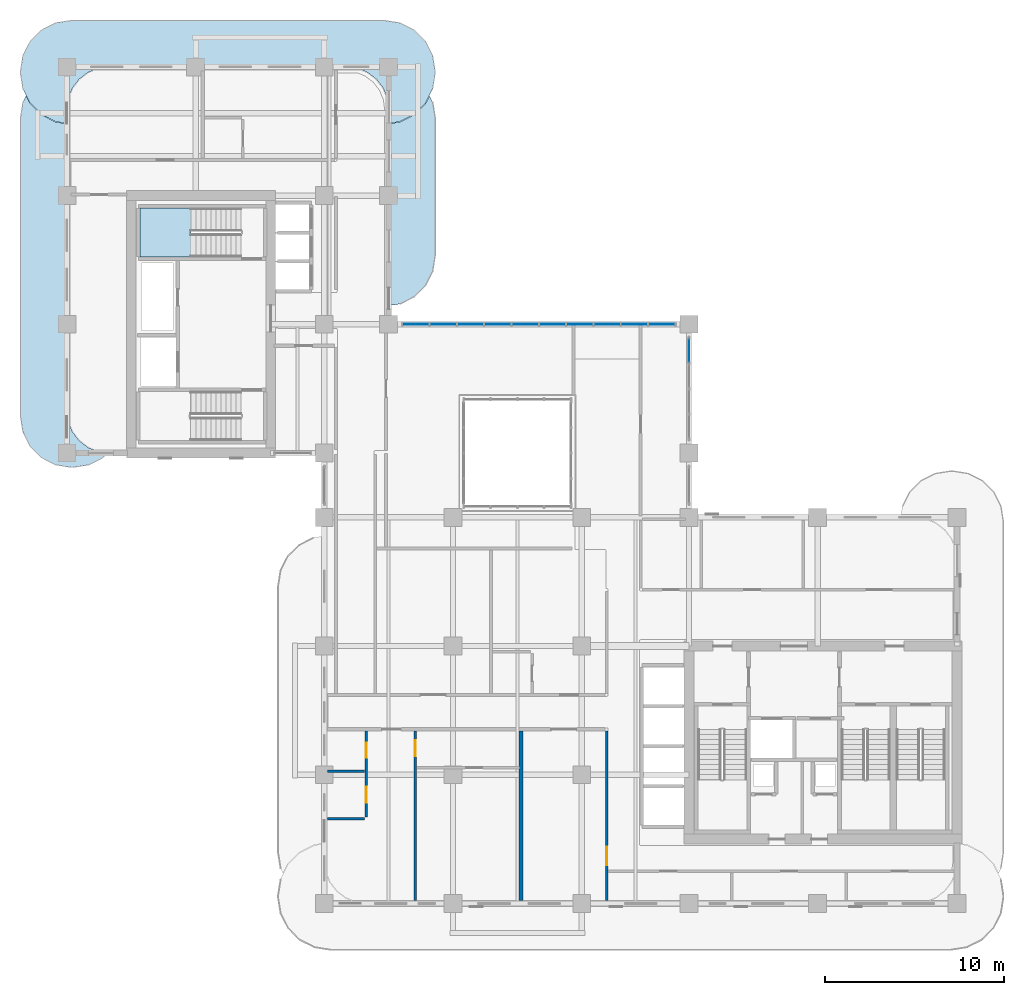
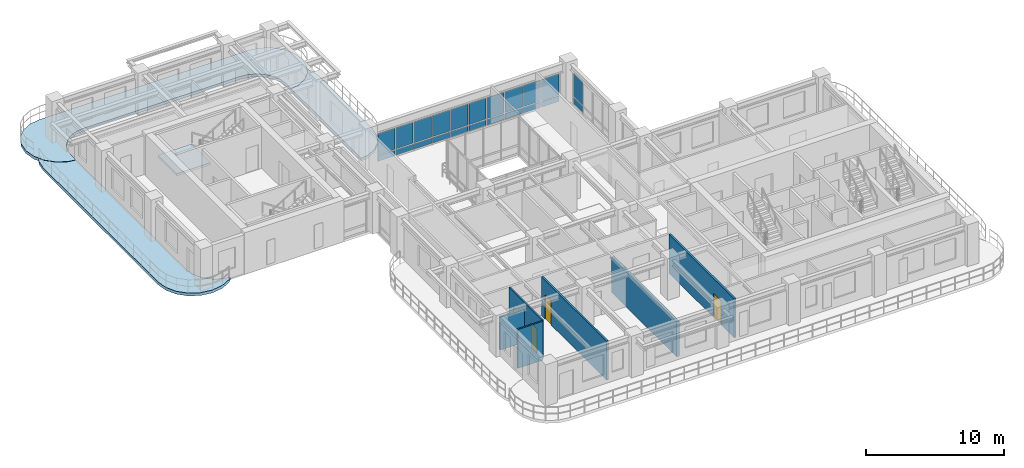
# One storey, part 10 of 20: 22 plates, 6 walls, 4 doors, 4 slabs, 4 openings, 3 elements without a shape of their own.
"""IFC4 building model written with IfcOpenShell, lengths in metres."""

from ifc_helpers import new_model, si_unit, derived_unit, direction, frame, frame_2d, origin, origin_2d, place, context, subcontext, project, spatial, polyline, rectangle, outline, extrude, source, transform, mapped, material, layer, layer_set, type_object, type_shapes, element, fill, aggregate, save


model = new_model("IFC4")

# Units and contexts
model_context = context("Model", 3, precision=1e-05, world=origin(), true_north=direction((0.0, 1.0)))
body_context = subcontext(model_context, "Body", "Model", "MODEL_VIEW")
ifc_project = project(units=[si_unit("LENGTHUNIT", "METRE"), si_unit("AREAUNIT", "SQUARE_METRE"), si_unit("VOLUMEUNIT", "CUBIC_METRE"), si_unit("PLANEANGLEUNIT", "RADIAN"), si_unit("MASSUNIT", "GRAM", prefix="KILO"), si_unit("THERMODYNAMICTEMPERATUREUNIT", "KELVIN"), si_unit("POWERUNIT", "WATT"), derived_unit("THERMALTRANSMITTANCEUNIT", [(si_unit("POWERUNIT", "WATT"), 1), (si_unit("AREAUNIT", "SQUARE_METRE"), -1), (si_unit("THERMODYNAMICTEMPERATUREUNIT", "KELVIN"), -1)])], contexts=[model_context])

# Site, building, storey
site_placement = place(None, origin())
site = spatial("IfcSite", under=ifc_project, at=site_placement, CompositionType="ELEMENT")
building_placement = place(site_placement, origin())
building = spatial("IfcBuilding", under=site, at=building_placement, Name="Zahravan Archway Hotel and Residences", CompositionType="ELEMENT")
storey_placement = place(building_placement, frame((0.0, 0.0, 115.5)))
storey = spatial("IfcBuildingStorey", under=building, at=storey_placement, Name="L28", CompositionType="ELEMENT", Elevation=115.5)

# Slabs
ifc_material_1 = material(Name="Concrete C45/55", Category="concrete")
ifc_layer_1 = layer(ifc_material_1, 0.25, Name="Concrete C45/55", Category="concrete")
ifc_layer_set_1 = layer_set([ifc_layer_1], Name="Concrete C45/55")
slab_type_1 = type_object("IfcSlabType", Name="SLB-BALC-250", PredefinedType="FLOOR", material=ifc_layer_set_1)
slab_1_placement = place(storey_placement, frame((0.0, 0.0, -0.25)))
element("IfcSlab", 1, at=slab_1_placement, inside=storey, type_object=slab_type_1, Name="L28 Wing B North Rounded Balcony Band", PredefinedType="FLOOR", context=body_context, shape_type="SweptSolid", body=[
    extrude(outline(polyline([(-0.630615234375, 43.739501953125), (-1.42529296875, 44.144287109375), (-2.0556640625, 44.77490234375), (-2.46044921875, 45.5693359375), (-2.60009765625, 46.449951171875), (-2.60009765625, 46.550048828125), (-2.46044921875, 47.4306640625), (-2.0556640625, 48.22509765625), (-1.42529296875, 48.855712890625), (-0.630615234375, 49.260498046875), (0.25, 49.39990234375), (17.75, 49.39990234375), (18.630615234375, 49.260498046875), (19.42529296875, 48.855712890625), (20.0556640625, 48.22509765625), (20.46044921875, 47.4306640625), (20.60009765625, 46.550048828125), (20.60009765625, 46.449951171875), (20.46044921875, 45.5693359375), (20.0556640625, 44.77490234375), (19.42529296875, 44.144287109375), (18.630615234375, 43.739501953125), (18.02001953125, 43.642822265625), (18.02001953125, 44.39990234375), (18.019775390625, 44.402587890625), (17.93798828125, 45.023681640625), (17.937744140625, 45.025390625), (17.937255859375, 45.027099609375), (17.936767578125, 45.02880859375), (17.697021484375, 45.607666015625), (17.6962890625, 45.609130859375), (17.6953125, 45.610595703125), (17.6943359375, 45.6123046875), (17.31298828125, 46.109375), (17.311767578125, 46.110595703125), (17.310546875, 46.11181640625), (17.309326171875, 46.113037109375), (16.812255859375, 46.494384765625), (16.810791015625, 46.495361328125), (16.80908203125, 46.49609375), (16.8076171875, 46.4970703125), (16.22900390625, 46.73681640625), (16.227294921875, 46.7373046875), (16.2255859375, 46.73779296875), (16.223876953125, 46.738037109375), (15.6025390625, 46.81982421875), (15.60009765625, 46.820068359375), (2.39990234375, 46.820068359375), (2.3974609375, 46.81982421875), (1.776123046875, 46.738037109375), (1.7744140625, 46.73779296875), (1.772705078125, 46.7373046875), (1.77099609375, 46.73681640625), (1.1923828125, 46.4970703125), (1.19091796875, 46.49609375), (1.189208984375, 46.495361328125), (1.187744140625, 46.494384765625), (0.690673828125, 46.113037109375), (0.689453125, 46.11181640625), (0.688232421875, 46.110595703125), (0.68701171875, 46.109375), (0.3056640625, 45.6123046875), (0.3046875, 45.610595703125), (0.3037109375, 45.609130859375), (0.302978515625, 45.607666015625), (0.063232421875, 45.02880859375), (0.062744140625, 45.027099609375), (0.062255859375, 45.025390625), (0.06201171875, 45.023681640625), (-0.019775390625, 44.402587890625), (-0.02001953125, 44.39990234375), (-0.02001953125, 43.642822265625), (-0.630615234375, 43.739501953125)])), origin(), (0.0, 0.0, 1.0), 0.25),
])
slab_2_placement = place(storey_placement, frame((0.0, 0.0, -0.25)))
element("IfcSlab", 2, at=slab_2_placement, inside=storey, type_object=slab_type_1, Name="L28 Wing B West Rounded Balcony Band", PredefinedType="FLOOR", context=body_context, shape_type="SweptSolid", body=[
    extrude(outline(polyline([(2.025146484375, 24.9443359375), (1.230712890625, 24.53955078125), (0.35009765625, 24.39990234375), (0.25, 24.39990234375), (-0.630615234375, 24.53955078125), (-1.42529296875, 24.9443359375), (-2.0556640625, 25.57470703125), (-2.46044921875, 26.369384765625), (-2.60009765625, 27.25), (-2.60009765625, 43.949951171875), (-2.46044921875, 44.830810546875), (-2.28369140625, 45.177978515625), (-2.073486328125, 44.765625), (-2.072509765625, 44.763916015625), (-2.0712890625, 44.76220703125), (-2.06982421875, 44.7607421875), (-1.439208984375, 44.130126953125), (-1.437744140625, 44.12890625), (-1.43603515625, 44.12744140625), (-1.434326171875, 44.12646484375), (-0.639892578125, 43.7216796875), (-0.637939453125, 43.720703125), (-0.635986328125, 43.72021484375), (-0.6337890625, 43.7197265625), (-0.023193359375, 43.623046875), (-0.021240234375, 43.622802734375), (-0.02001953125, 43.622802734375), (-0.02001953125, 27.60009765625), (-0.019775390625, 27.597412109375), (0.06201171875, 26.976318359375), (0.062255859375, 26.974609375), (0.062744140625, 26.972900390625), (0.063232421875, 26.97119140625), (0.302978515625, 26.392333984375), (0.3037109375, 26.390869140625), (0.3046875, 26.389404296875), (0.3056640625, 26.3876953125), (0.68701171875, 25.890625), (0.688232421875, 25.889404296875), (0.689453125, 25.88818359375), (0.690673828125, 25.886962890625), (1.187744140625, 25.505615234375), (1.189208984375, 25.504638671875), (1.19091796875, 25.50390625), (1.1923828125, 25.5029296875), (1.77099609375, 25.26318359375), (1.772705078125, 25.2626953125), (1.7744140625, 25.26220703125), (1.776123046875, 25.261962890625), (2.27685546875, 25.196044921875), (2.025146484375, 24.9443359375)])), origin(), (0.0, 0.0, 1.0), 0.25),
])
slab_3_placement = place(storey_placement, frame((0.0, 0.0, -0.25)))
element("IfcSlab", 3, at=slab_3_placement, inside=storey, type_object=slab_type_1, Name="L28 Wing B East Rounded Balcony Band", PredefinedType="FLOOR", context=body_context, shape_type="SweptSolid", body=[
    extrude(outline(polyline([(20.46044921875, 44.830810546875), (20.60009765625, 43.949951171875), (20.60009765625, 36.25), (20.46044921875, 35.369384765625), (20.0556640625, 34.57470703125), (19.42529296875, 33.9443359375), (18.630615234375, 33.53955078125), (18.02001953125, 33.44287109375), (18.02001953125, 43.622802734375), (18.021240234375, 43.622802734375), (18.023193359375, 43.623046875), (18.6337890625, 43.7197265625), (18.635986328125, 43.72021484375), (18.637939453125, 43.720703125), (18.639892578125, 43.7216796875), (19.434326171875, 44.12646484375), (19.43603515625, 44.12744140625), (19.437744140625, 44.12890625), (19.439208984375, 44.130126953125), (20.06982421875, 44.7607421875), (20.0712890625, 44.76220703125), (20.072509765625, 44.763916015625), (20.073486328125, 44.765625), (20.28369140625, 45.177978515625), (20.46044921875, 44.830810546875)])), origin(), (0.0, 0.0, 1.0), 0.25),
])

# Stair, slab
ifc_material_2 = material(Name="Concrete C50/60", Category="concrete")
stair_type = type_object("IfcStairType", Name="STR-CORE-1300", PredefinedType="HALF_TURN_STAIR", material=ifc_material_2)
stair_placement = place(storey_placement, origin())
stair = element("IfcStair", 4, at=stair_placement, inside=storey, type_object=stair_type, Name="L28 Core B Exit Stair 2", PredefinedType="HALF_TURN_STAIR")
ifc_layer_2 = layer(ifc_material_2, 0.199951171875, Name="Concrete C50/60", Category="concrete")
ifc_layer_set_2 = layer_set([ifc_layer_2], Name="Concrete C50/60")
slab_type_2 = type_object("IfcSlabType", Name="SLB-LND-200", PredefinedType="LANDING", material=ifc_layer_set_2)
slab_4_placement = place(storey_placement, frame((0.0, 0.0, 1.64990234375)))
slab_4 = element("IfcSlab", 5, at=slab_4_placement, type_object=slab_type_2, Name="ST-B2 landing 1", PredefinedType="LANDING", context=body_context, shape_type="SweptSolid", body=[
    extrude(outline(polyline([(6.929931640625, 38.89990234375), (4.10009765625, 38.89990234375), (4.10009765625, 36.159912109375), (6.929931640625, 36.159912109375), (6.929931640625, 38.89990234375)])), origin(), (0.0, 0.0, 1.0), 0.2001953125),
])
aggregate(stair, [slab_4])

# Curtain wall, plates
ifc_material_3 = material(Name="Bronze-Anodized Unitised Aluminium & Low-E Glass", Category="aluminium")
ifc_layer_3 = layer(ifc_material_3, 0.179931640625, Name="Bronze-Anodized Unitised Aluminium & Low-E Glass", Category="aluminium")
ifc_layer_set_3 = layer_set([ifc_layer_3], Name="Bronze-Anodized Unitised Aluminium & Low-E Glass")
curtain_wall_type = type_object("IfcCurtainWallType", Name="CW-ATR-GLAZ", PredefinedType="NOTDEFINED", material=ifc_layer_set_3)
curtain_wall_1_placement = place(storey_placement, origin())
curtain_wall_1 = element("IfcCurtainWall", 6, at=curtain_wall_1_placement, inside=storey, type_object=curtain_wall_type, Name="L28 Curtain Wall CW-L28-HNG-N-1", PredefinedType="NOTDEFINED")
ifc_material_4 = material(Name="Insulated Terracotta Spandrel Panel", Category="masonry")
ifc_layer_4 = layer(ifc_material_4, 0.0400390625, Name="Insulated Terracotta Spandrel Panel", Category="masonry")
ifc_layer_set_4 = layer_set([ifc_layer_4], Name="Insulated Terracotta Spandrel Panel")
plate_type_1 = type_object("IfcPlateType", Name="CWP-SPN-40", PredefinedType="SHEET", material=ifc_layer_set_4)
shared_shape_1 = source(origin(), body_context, "Body", "SweptSolid", [
    extrude(rectangle(XDim=1.447998046875, YDim=0.0400390625, at=origin_2d()), origin(), (0.0, 0.0, 1.0), 0.492431640625),
])
plate_1_placement = place(storey_placement, frame((19.52392578125, 32.39990234375, 0.10009765625), z_axis=(0.0, 0.0, 1.0), x_axis=(1.0, 0.0, 0.0)))
plate_1 = element("IfcPlate", 7, at=plate_1_placement, type_object=plate_type_1, Name="CW-L28-HNG-N-1 Spandrel Panel 0", PredefinedType="SHEET", context=body_context, shape_type="MappedRepresentation", body=[
    mapped(shared_shape_1, transform((0.0, 0.0, 0.0), scale=1.0)),
])
plate_2_placement = place(storey_placement, frame((21.052001953125, 32.39990234375, 0.10009765625), z_axis=(0.0, 0.0, 1.0), x_axis=(1.0, 0.0, 0.0)))
plate_2 = element("IfcPlate", 8, at=plate_2_placement, type_object=plate_type_1, Name="CW-L28-HNG-N-1 Spandrel Panel 1", PredefinedType="SHEET", context=body_context, shape_type="MappedRepresentation", body=[
    mapped(shared_shape_1, transform((0.0, 0.0, 0.0), scale=1.0)),
])
plate_3_placement = place(storey_placement, frame((22.580078125, 32.39990234375, 0.10009765625), z_axis=(0.0, 0.0, 1.0), x_axis=(1.0, 0.0, 0.0)))
plate_3 = element("IfcPlate", 9, at=plate_3_placement, type_object=plate_type_1, Name="CW-L28-HNG-N-1 Spandrel Panel 2", PredefinedType="SHEET", context=body_context, shape_type="MappedRepresentation", body=[
    mapped(shared_shape_1, transform((0.0, 0.0, 0.0), scale=1.0)),
])
plate_4_placement = place(storey_placement, frame((24.10791015625, 32.39990234375, 0.10009765625), z_axis=(0.0, 0.0, 1.0), x_axis=(1.0, 0.0, 0.0)))
plate_4 = element("IfcPlate", 10, at=plate_4_placement, type_object=plate_type_1, Name="CW-L28-HNG-N-1 Spandrel Panel 3", PredefinedType="SHEET", context=body_context, shape_type="MappedRepresentation", body=[
    mapped(shared_shape_1, transform((0.0, 0.0, 0.0), scale=1.0)),
])
plate_5_placement = place(storey_placement, frame((25.635986328125, 32.39990234375, 0.10009765625), z_axis=(0.0, 0.0, 1.0), x_axis=(1.0, 0.0, 0.0)))
plate_5 = element("IfcPlate", 11, at=plate_5_placement, type_object=plate_type_1, Name="CW-L28-HNG-N-1 Spandrel Panel 4", PredefinedType="SHEET", context=body_context, shape_type="MappedRepresentation", body=[
    mapped(shared_shape_1, transform((0.0, 0.0, 0.0), scale=1.0)),
])
plate_6_placement = place(storey_placement, frame((27.1640625, 32.39990234375, 0.10009765625), z_axis=(0.0, 0.0, 1.0), x_axis=(1.0, 0.0, 0.0)))
plate_6 = element("IfcPlate", 12, at=plate_6_placement, type_object=plate_type_1, Name="CW-L28-HNG-N-1 Spandrel Panel 5", PredefinedType="SHEET", context=body_context, shape_type="MappedRepresentation", body=[
    mapped(shared_shape_1, transform((0.0, 0.0, 0.0), scale=1.0)),
])
plate_7_placement = place(storey_placement, frame((28.69189453125, 32.39990234375, 0.10009765625), z_axis=(0.0, 0.0, 1.0), x_axis=(1.0, 0.0, 0.0)))
plate_7 = element("IfcPlate", 13, at=plate_7_placement, type_object=plate_type_1, Name="CW-L28-HNG-N-1 Spandrel Panel 6", PredefinedType="SHEET", context=body_context, shape_type="MappedRepresentation", body=[
    mapped(shared_shape_1, transform((0.0, 0.0, 0.0), scale=1.0)),
])
plate_8_placement = place(storey_placement, frame((30.219970703125, 32.39990234375, 0.10009765625), z_axis=(0.0, 0.0, 1.0), x_axis=(1.0, 0.0, 0.0)))
plate_8 = element("IfcPlate", 14, at=plate_8_placement, type_object=plate_type_1, Name="CW-L28-HNG-N-1 Spandrel Panel 7", PredefinedType="SHEET", context=body_context, shape_type="MappedRepresentation", body=[
    mapped(shared_shape_1, transform((0.0, 0.0, 0.0), scale=1.0)),
])
plate_9_placement = place(storey_placement, frame((31.748046875, 32.39990234375, 0.10009765625), z_axis=(0.0, 0.0, 1.0), x_axis=(1.0, 0.0, 0.0)))
plate_9 = element("IfcPlate", 15, at=plate_9_placement, type_object=plate_type_1, Name="CW-L28-HNG-N-1 Spandrel Panel 8", PredefinedType="SHEET", context=body_context, shape_type="MappedRepresentation", body=[
    mapped(shared_shape_1, transform((0.0, 0.0, 0.0), scale=1.0)),
])
plate_10_placement = place(storey_placement, frame((33.27587890625, 32.39990234375, 0.10009765625), z_axis=(0.0, 0.0, 1.0), x_axis=(1.0, 0.0, 0.0)))
plate_10 = element("IfcPlate", 16, at=plate_10_placement, type_object=plate_type_1, Name="CW-L28-HNG-N-1 Spandrel Panel 9", PredefinedType="SHEET", context=body_context, shape_type="MappedRepresentation", body=[
    mapped(shared_shape_1, transform((0.0, 0.0, 0.0), scale=1.0)),
])
ifc_material_5 = material(Name="Double-Silver Low-E Insulated Vision Glass", Category="glass")
ifc_layer_5 = layer(ifc_material_5, 0.028076171875, Name="Double-Silver Low-E Insulated Vision Glass", Category="glass")
ifc_layer_set_5 = layer_set([ifc_layer_5], Name="Double-Silver Low-E Insulated Vision Glass")
plate_type_2 = type_object("IfcPlateType", Name="CWP-GLZ-28", PredefinedType="CURTAIN_PANEL", material=ifc_layer_set_5)
shared_shape_2 = source(origin(), body_context, "Body", "SweptSolid", [
    extrude(rectangle(XDim=1.447998046875, YDim=0.028076171875, at=origin_2d()), origin(), (0.0, 0.0, 1.0), 1.862548828125),
])
plate_11_placement = place(storey_placement, frame((19.52392578125, 32.39990234375, 0.67236328125), z_axis=(0.0, 0.0, 1.0), x_axis=(1.0, 0.0, 0.0)))
plate_11 = element("IfcPlate", 17, at=plate_11_placement, type_object=plate_type_2, Name="CW-L28-HNG-N-1 Low-E Vision Panel 0", PredefinedType="CURTAIN_PANEL", context=body_context, shape_type="MappedRepresentation", body=[
    mapped(shared_shape_2, transform((0.0, 0.0, 0.0), scale=1.0)),
])
plate_12_placement = place(storey_placement, frame((21.052001953125, 32.39990234375, 0.67236328125), z_axis=(0.0, 0.0, 1.0), x_axis=(1.0, 0.0, 0.0)))
plate_12 = element("IfcPlate", 18, at=plate_12_placement, type_object=plate_type_2, Name="CW-L28-HNG-N-1 Low-E Vision Panel 1", PredefinedType="CURTAIN_PANEL", context=body_context, shape_type="MappedRepresentation", body=[
    mapped(shared_shape_2, transform((0.0, 0.0, 0.0), scale=1.0)),
])
plate_13_placement = place(storey_placement, frame((22.580078125, 32.39990234375, 0.67236328125), z_axis=(0.0, 0.0, 1.0), x_axis=(1.0, 0.0, 0.0)))
plate_13 = element("IfcPlate", 19, at=plate_13_placement, type_object=plate_type_2, Name="CW-L28-HNG-N-1 Low-E Vision Panel 2", PredefinedType="CURTAIN_PANEL", context=body_context, shape_type="MappedRepresentation", body=[
    mapped(shared_shape_2, transform((0.0, 0.0, 0.0), scale=1.0)),
])
plate_14_placement = place(storey_placement, frame((24.10791015625, 32.39990234375, 0.67236328125), z_axis=(0.0, 0.0, 1.0), x_axis=(1.0, 0.0, 0.0)))
plate_14 = element("IfcPlate", 20, at=plate_14_placement, type_object=plate_type_2, Name="CW-L28-HNG-N-1 Low-E Vision Panel 3", PredefinedType="CURTAIN_PANEL", context=body_context, shape_type="MappedRepresentation", body=[
    mapped(shared_shape_2, transform((0.0, 0.0, 0.0), scale=1.0)),
])
plate_15_placement = place(storey_placement, frame((25.635986328125, 32.39990234375, 0.67236328125), z_axis=(0.0, 0.0, 1.0), x_axis=(1.0, 0.0, 0.0)))
plate_15 = element("IfcPlate", 21, at=plate_15_placement, type_object=plate_type_2, Name="CW-L28-HNG-N-1 Low-E Vision Panel 4", PredefinedType="CURTAIN_PANEL", context=body_context, shape_type="MappedRepresentation", body=[
    mapped(shared_shape_2, transform((0.0, 0.0, 0.0), scale=1.0)),
])
plate_16_placement = place(storey_placement, frame((27.1640625, 32.39990234375, 0.67236328125), z_axis=(0.0, 0.0, 1.0), x_axis=(1.0, 0.0, 0.0)))
plate_16 = element("IfcPlate", 22, at=plate_16_placement, type_object=plate_type_2, Name="CW-L28-HNG-N-1 Low-E Vision Panel 5", PredefinedType="CURTAIN_PANEL", context=body_context, shape_type="MappedRepresentation", body=[
    mapped(shared_shape_2, transform((0.0, 0.0, 0.0), scale=1.0)),
])
plate_17_placement = place(storey_placement, frame((28.69189453125, 32.39990234375, 0.67236328125), z_axis=(0.0, 0.0, 1.0), x_axis=(1.0, 0.0, 0.0)))
plate_17 = element("IfcPlate", 23, at=plate_17_placement, type_object=plate_type_2, Name="CW-L28-HNG-N-1 Low-E Vision Panel 6", PredefinedType="CURTAIN_PANEL", context=body_context, shape_type="MappedRepresentation", body=[
    mapped(shared_shape_2, transform((0.0, 0.0, 0.0), scale=1.0)),
])
plate_18_placement = place(storey_placement, frame((30.219970703125, 32.39990234375, 0.67236328125), z_axis=(0.0, 0.0, 1.0), x_axis=(1.0, 0.0, 0.0)))
plate_18 = element("IfcPlate", 24, at=plate_18_placement, type_object=plate_type_2, Name="CW-L28-HNG-N-1 Low-E Vision Panel 7", PredefinedType="CURTAIN_PANEL", context=body_context, shape_type="MappedRepresentation", body=[
    mapped(shared_shape_2, transform((0.0, 0.0, 0.0), scale=1.0)),
])
plate_19_placement = place(storey_placement, frame((31.748046875, 32.39990234375, 0.67236328125), z_axis=(0.0, 0.0, 1.0), x_axis=(1.0, 0.0, 0.0)))
plate_19 = element("IfcPlate", 25, at=plate_19_placement, type_object=plate_type_2, Name="CW-L28-HNG-N-1 Low-E Vision Panel 8", PredefinedType="CURTAIN_PANEL", context=body_context, shape_type="MappedRepresentation", body=[
    mapped(shared_shape_2, transform((0.0, 0.0, 0.0), scale=1.0)),
])
plate_20_placement = place(storey_placement, frame((33.27587890625, 32.39990234375, 0.67236328125), z_axis=(0.0, 0.0, 1.0), x_axis=(1.0, 0.0, 0.0)))
plate_20 = element("IfcPlate", 26, at=plate_20_placement, type_object=plate_type_2, Name="CW-L28-HNG-N-1 Low-E Vision Panel 9", PredefinedType="CURTAIN_PANEL", context=body_context, shape_type="MappedRepresentation", body=[
    mapped(shared_shape_2, transform((0.0, 0.0, 0.0), scale=1.0)),
])
aggregate(curtain_wall_1, [plate_1, plate_11, plate_2, plate_12, plate_3, plate_13, plate_4, plate_14, plate_5, plate_15, plate_6, plate_16, plate_7, plate_17, plate_8, plate_18, plate_9, plate_19, plate_10, plate_20])

curtain_wall_2_placement = place(storey_placement, origin())
curtain_wall_2 = element("IfcCurtainWall", 27, at=curtain_wall_2_placement, inside=storey, type_object=curtain_wall_type, Name="L28 Curtain Wall CW-L28-HNG-E-2", PredefinedType="NOTDEFINED")
shared_shape_3 = source(origin(), body_context, "Body", "SweptSolid", [
    extrude(rectangle(XDim=1.340087890625, YDim=0.0400390625, at=origin_2d()), origin(), (0.0, 0.0, 1.0), 0.564453125),
])
plate_21_placement = place(storey_placement, frame((34.800048828125, 30.929931640625, 0.099853515625), z_axis=(0.0, 0.0, 1.0), x_axis=(0.0, 1.0, 0.0)))
plate_21 = element("IfcPlate", 28, at=plate_21_placement, type_object=plate_type_1, Name="CW-L28-HNG-E-2 Spandrel Panel 3", PredefinedType="SHEET", context=body_context, shape_type="MappedRepresentation", body=[
    mapped(shared_shape_3, transform((0.0, 0.0, 0.0), scale=1.0)),
])
shared_shape_4 = source(origin(), body_context, "Body", "SweptSolid", [
    extrude(rectangle(XDim=1.340087890625, YDim=0.028076171875, at=origin_2d()), origin(), (0.0, 0.0, 1.0), 2.090576171875),
])
plate_22_placement = place(storey_placement, frame((34.800048828125, 30.929931640625, 0.74462890625), z_axis=(0.0, 0.0, 1.0), x_axis=(0.0, 1.0, 0.0)))
plate_22 = element("IfcPlate", 29, at=plate_22_placement, type_object=plate_type_2, Name="CW-L28-HNG-E-2 Low-E Vision Panel 3", PredefinedType="CURTAIN_PANEL", context=body_context, shape_type="MappedRepresentation", body=[
    mapped(shared_shape_4, transform((0.0, 0.0, 0.0), scale=1.0)),
])
aggregate(curtain_wall_2, [plate_21, plate_22])

# Wall
ifc_material_6 = material(Name="Fire-Rated Gypsum & Concrete Block", Category="concrete")
ifc_layer_6 = layer(ifc_material_6, 0.219970703125, Name="Fire-Rated Gypsum & Concrete Block", Category="concrete")
ifc_layer_set_6 = layer_set([ifc_layer_6], Name="Fire-Rated Gypsum & Concrete Block")
wall_type_1 = type_object("IfcWallType", Name="PW-COMP-220", PredefinedType="PARTITIONING", material=ifc_layer_set_6)
wall_1_placement = place(storey_placement, frame((25.39990234375, 0.16796875, 0.0), z_axis=(0.0, 0.0, 1.0), x_axis=(0.0, 1.0, 0.0)))
element("IfcWall", 30, at=wall_1_placement, inside=storey, type_object=wall_type_1, Name="L28 Partition WAS-3S", PredefinedType="PARTITIONING", context=body_context, shape_type="SweptSolid", body=[
    extrude(rectangle(XDim=9.491943359375, YDim=0.219970703125, at=frame_2d((4.74609375, 0.0))), origin(), (0.0, 0.0, 1.0), 3.10498046875),
])

# Wall, opening, door
ifc_layer_7 = layer(ifc_material_6, 0.159912109375, Name="Fire-Rated Gypsum & Concrete Block", Category="concrete")
ifc_layer_set_7 = layer_set([ifc_layer_7], Name="Fire-Rated Gypsum & Concrete Block")
wall_type_2 = type_object("IfcWallType", Name="PW-CORR-160", PredefinedType="PARTITIONING", material=ifc_layer_set_7)
wall_2_placement = place(storey_placement, frame((30.199951171875, 0.16796875, 0.0), z_axis=(0.0, 0.0, 1.0), x_axis=(0.0, 1.0, 0.0)))
wall_2 = element("IfcWall", 31, at=wall_2_placement, inside=storey, type_object=wall_type_2, Name="L28 Partition WA-SRW", PredefinedType="PARTITIONING", context=body_context, shape_type="SweptSolid", body=[
    extrude(rectangle(XDim=9.491943359375, YDim=0.159912109375, at=frame_2d((4.74609375, 0.0))), origin(), (0.0, 0.0, 1.0), 3.449951171875),
])
opening_1_placement = place(wall_2_placement, frame((1.95703125, 0.0, 0.0)))
opening_1 = element("IfcOpeningElement", 32, at=opening_1_placement, cuts=wall_2, Name="Opening FD-L2", PredefinedType="OPENING", context=body_context, shape_type="SweptSolid", body=[
    extrude(rectangle(XDim=1.050048828125, YDim=2.14990234375, at=frame_2d((0.52490234375, 1.074951171875))), frame((0.0, 0.08984375, 0.0), z_axis=(0.0, -1.0, 0.0), x_axis=(1.0, 0.0, 0.0)), (0.0, 0.0, 1.0), 0.179931640625),
])
ifc_material_7 = material(Name="Fire-Rated Painted Steel", Category="steel")
door_type_1 = type_object("IfcDoorType", Name="FD-LOBBY-1100", OperationType="NOTDEFINED", PredefinedType="DOOR", material=ifc_material_7)
shared_shape_5 = source(origin(), body_context, "Body", "SweptSolid", [
    extrude(rectangle(XDim=1.050048828125, YDim=2.14990234375, at=frame_2d((0.52490234375, 1.074951171875))), frame((0.0, 0.02490234375, 0.0), z_axis=(0.0, -1.0, 0.0), x_axis=(1.0, 0.0, 0.0)), (0.0, 0.0, 1.0), 0.050048828125),
])
type_shapes(door_type_1, [shared_shape_5])
door_1_placement = place(opening_1_placement, origin())
door_1 = element("IfcDoor", 33, at=door_1_placement, inside=storey, type_object=door_type_1, Name="L28 South Riser Corridor Door", OperationType="SINGLE_SWING_LEFT", OverallHeight=2.14990234375, OverallWidth=1.050048828125, PredefinedType="DOOR", context=body_context, shape_type="MappedRepresentation", body=[
    mapped(shared_shape_5, transform((0.0, 0.0, 0.0), scale=1.0)),
])
fill(opening_1, door_1)

ifc_material_8 = material(Name="Acoustic Stud Partition")
ifc_layer_8 = layer(ifc_material_8, 0.14990234375, Name="Acoustic Stud Partition")
ifc_layer_set_8 = layer_set([ifc_layer_8], Name="Acoustic Stud Partition")
wall_type_3 = type_object("IfcWallType", Name="PW-UNIT-150", PredefinedType="PARTITIONING", material=ifc_layer_set_8)
wall_3_placement = place(storey_placement, frame((19.47998046875, 0.16796875, 0.0), z_axis=(0.0, 0.0, 1.0), x_axis=(0.0, 1.0, 0.0)))
wall_3 = element("IfcWall", 34, at=wall_3_placement, inside=storey, type_object=wall_type_3, Name="L28 Partition FL-HS1-SP", PredefinedType="PARTITIONING", context=body_context, shape_type="SweptSolid", body=[
    extrude(rectangle(XDim=9.491943359375, YDim=0.14990234375, at=frame_2d((4.74609375, 0.0))), origin(), (0.0, 0.0, 1.0), 3.449951171875),
])
opening_2_placement = place(wall_3_placement, frame((8.056884765625, 0.0, 0.0)))
opening_2 = element("IfcOpeningElement", 35, at=opening_2_placement, cuts=wall_3, Name="Opening D-I2", PredefinedType="OPENING", context=body_context, shape_type="SweptSolid", body=[
    extrude(rectangle(XDim=0.89990234375, YDim=2.14990234375, at=frame_2d((0.449951171875, 1.074951171875))), frame((0.0, 0.0849609375, 0.0), z_axis=(0.0, -1.0, 0.0), x_axis=(1.0, 0.0, 0.0)), (0.0, 0.0, 1.0), 0.169921875),
])
ifc_material_9 = material(Name="Hardwood Veneer Timber", Category="wood")
door_type_2 = type_object("IfcDoorType", Name="ID-INT-900", OperationType="NOTDEFINED", PredefinedType="DOOR", material=ifc_material_9)
shared_shape_6 = source(origin(), body_context, "Body", "SweptSolid", [
    extrude(rectangle(XDim=0.89990234375, YDim=2.14990234375, at=frame_2d((0.449951171875, 1.074951171875))), frame((0.0, 0.02490234375, 0.0), z_axis=(0.0, -1.0, 0.0), x_axis=(1.0, 0.0, 0.0)), (0.0, 0.0, 1.0), 0.050048828125),
])
type_shapes(door_type_2, [shared_shape_6])
door_2_placement = place(opening_2_placement, origin())
door_2 = element("IfcDoor", 36, at=door_2_placement, inside=storey, type_object=door_type_2, Name="L28 Flat HS1 Bedroom Hall Door", OperationType="SINGLE_SWING_RIGHT", OverallHeight=2.14990234375, OverallWidth=0.89990234375, PredefinedType="DOOR", context=body_context, shape_type="MappedRepresentation", body=[
    mapped(shared_shape_6, transform((0.0, 0.0, 0.0), scale=1.0)),
])
fill(opening_2, door_2)

# Wall, openings, doors
ifc_material_10 = material(Name="Moisture-Resistant Blockwork", Category="masonry")
ifc_layer_9 = layer(ifc_material_10, 0.139892578125, Name="Moisture-Resistant Blockwork", Category="masonry")
ifc_layer_set_9 = layer_set([ifc_layer_9], Name="Moisture-Resistant Blockwork")
wall_type_4 = type_object("IfcWallType", Name="PW-WET-140", PredefinedType="PARTITIONING", material=ifc_layer_set_9)
wall_4_placement = place(storey_placement, frame((16.75, 4.840087890625, 0.0), z_axis=(0.0, 0.0, 1.0), x_axis=(0.0, 1.0, 0.0)))
wall_4 = element("IfcWall", 37, at=wall_4_placement, inside=storey, type_object=wall_type_4, Name="L28 Partition FL-HS1-BV", PredefinedType="PARTITIONING", context=body_context, shape_type="SweptSolid", body=[
    extrude(rectangle(XDim=4.81982421875, YDim=0.139892578125, at=frame_2d((2.409912109375, 0.0))), origin(), (0.0, 0.0, 1.0), 3.449951171875),
])
opening_3_placement = place(wall_4_placement, frame((0.784912109375, 0.0, 0.0)))
opening_3 = element("IfcOpeningElement", 38, at=opening_3_placement, cuts=wall_4, Name="Opening D-I2", PredefinedType="OPENING", context=body_context, shape_type="SweptSolid", body=[
    extrude(rectangle(XDim=0.89990234375, YDim=2.14990234375, at=frame_2d((0.449951171875, 1.074951171875))), frame((0.0, 0.080078125, 0.0), z_axis=(0.0, -1.0, 0.0), x_axis=(1.0, 0.0, 0.0)), (0.0, 0.0, 1.0), 0.159912109375),
])
opening_4_placement = place(wall_4_placement, frame((3.31005859375, 0.0, 0.0)))
opening_4 = element("IfcOpeningElement", 39, at=opening_4_placement, cuts=wall_4, Name="Opening D-B1", PredefinedType="OPENING", context=body_context, shape_type="SweptSolid", body=[
    extrude(rectangle(XDim=0.85009765625, YDim=2.10009765625, at=frame_2d((0.425048828125, 1.050048828125))), frame((0.0, 0.080078125, 0.0), z_axis=(0.0, -1.0, 0.0), x_axis=(1.0, 0.0, 0.0)), (0.0, 0.0, 1.0), 0.159912109375),
])
door_type_3 = type_object("IfcDoorType", Name="ID-BATH-850", OperationType="NOTDEFINED", PredefinedType="DOOR", material=ifc_material_9)
shared_shape_7 = source(origin(), body_context, "Body", "SweptSolid", [
    extrude(rectangle(XDim=0.85009765625, YDim=2.10009765625, at=frame_2d((0.425048828125, 1.050048828125))), frame((0.0, 0.02490234375, 0.0), z_axis=(0.0, -1.0, 0.0), x_axis=(1.0, 0.0, 0.0)), (0.0, 0.0, 1.0), 0.050048828125),
])
type_shapes(door_type_3, [shared_shape_7])
door_3_placement = place(opening_4_placement, origin())
door_3 = element("IfcDoor", 40, at=door_3_placement, inside=storey, type_object=door_type_3, Name="L28 Flat HS1 Bathroom Door", OperationType="SINGLE_SWING_RIGHT", OverallHeight=2.10009765625, OverallWidth=0.85009765625, PredefinedType="DOOR", context=body_context, shape_type="MappedRepresentation", body=[
    mapped(shared_shape_7, transform((0.0, 0.0, 0.0), scale=1.0)),
])
fill(opening_4, door_3)
door_4_placement = place(opening_3_placement, origin())
door_4 = element("IfcDoor", 41, at=door_4_placement, inside=storey, type_object=door_type_2, Name="L28 Flat HS1 Kitchen Door", OperationType="SINGLE_SWING_LEFT", OverallHeight=2.14990234375, OverallWidth=0.89990234375, PredefinedType="DOOR", context=body_context, shape_type="MappedRepresentation", body=[
    mapped(shared_shape_6, transform((0.0, 0.0, 0.0), scale=1.0)),
])
fill(opening_3, door_4)

# Walls
wall_5_placement = place(storey_placement, frame((14.590087890625, 7.39990234375, 0.0), z_axis=(0.0, 0.0, 1.0), x_axis=(1.0, 0.0, 0.0)))
element("IfcWall", 42, at=wall_5_placement, inside=storey, type_object=wall_type_4, Name="L28 Partition FL-HS1-BM", PredefinedType="PARTITIONING", context=body_context, shape_type="SweptSolid", body=[
    extrude(rectangle(XDim=2.06982421875, YDim=0.139892578125, at=frame_2d((1.034912109375, 0.0))), origin(), (0.0, 0.0, 1.0), 2.93505859375),
])
wall_6_placement = place(storey_placement, frame((14.568115234375, 4.75, 0.0), z_axis=(0.0, 0.0, 1.0), x_axis=(1.0, 0.0, 0.0)))
element("IfcWall", 43, at=wall_6_placement, inside=storey, type_object=wall_type_4, Name="L28 Partition FL-HS1-KH", PredefinedType="PARTITIONING", context=body_context, shape_type="SweptSolid", body=[
    extrude(rectangle(XDim=2.091796875, YDim=0.139892578125, at=frame_2d((1.0458984375, 0.0))), origin(), (0.0, 0.0, 1.0), 3.449951171875),
])

save(model, "model.ifc")
